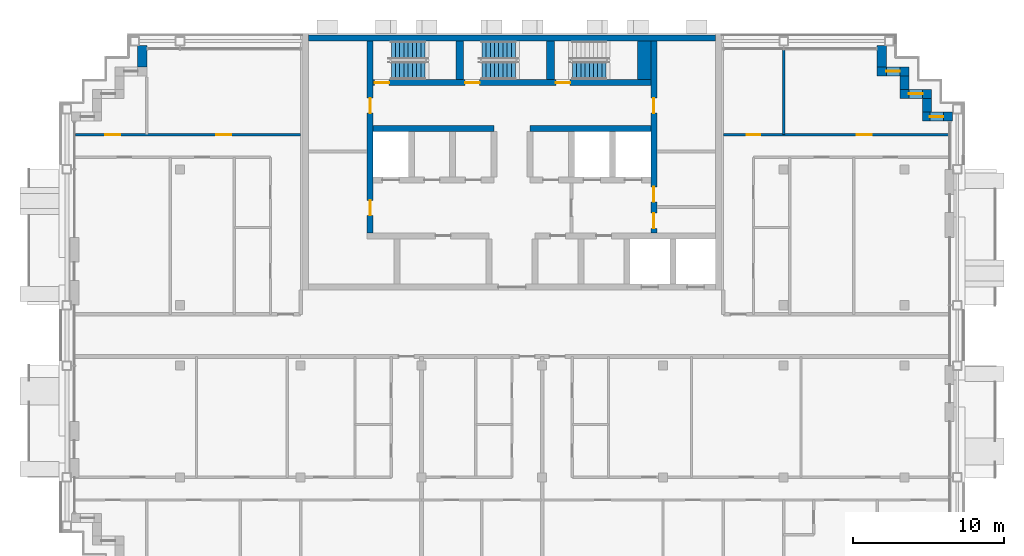
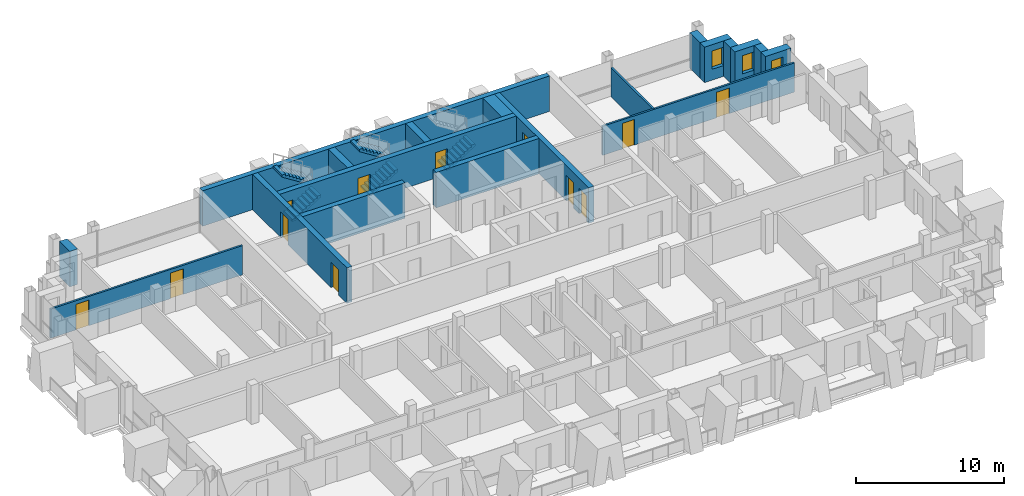
# One storey, part 11 of 16: 19 walls, 12 doors, 5 stair flights, 3 windows, 15 openings, 3 elements without a shape of their own.
"""IFC4 building model written with IfcOpenShell, lengths in metres."""

import ifcopenshell
import ifcopenshell.guid

model = None  # the IFC model being written
_history = None  # IfcOwnerHistory: only IFC2X3 demands one
_inside = {}  # id of a spatial element -> (the spatial element, [elements in it])
_under = {}  # id of a project, library or spatial element -> (it, [spatial elements below it])
_declared = {}  # id of a project -> (the project, [libraries it declares])
_typed = {}  # id of a type object -> (the type object, [elements of that type])
_made_of = {}  # id of a material, layer set ... -> (it, [elements and type objects made of it])


def new_model(schema):
    """Start an empty IFC model of exactly this schema.

    Asked for "IFC4X3", IfcOpenShell would pick the latest addendum, in which some entities
    have other attributes; the version numbers below select the first issue.
    IFC2X3 requires an IfcOwnerHistory on every rooted entity: one is made here for all.
    """
    global model, _history
    if schema == "IFC4X3":
        model = ifcopenshell.file(schema_version=(4, 3, 0, 0))
    else:
        model = ifcopenshell.file(schema=schema)
    _inside.clear()
    _under.clear()
    _declared.clear()
    _typed.clear()
    _made_of.clear()
    _history = None
    if model.schema == "IFC2X3":
        org = make("IfcOrganization", Name="unknown")
        user = make(
            "IfcPersonAndOrganization",
            ThePerson=make("IfcPerson", FamilyName="unknown"),
            TheOrganization=org,
        )
        app = make(
            "IfcApplication",
            ApplicationDeveloper=org,
            Version="unknown",
            ApplicationFullName="unknown",
            ApplicationIdentifier="unknown",
        )
        _history = make(
            "IfcOwnerHistory",
            OwningUser=user,
            OwningApplication=app,
            ChangeAction="ADDED",
            CreationDate=0,
        )
    return model


def make(cls, **values):
    """One entity of the class cls with the attributes given. An attribute that is None is left unset."""
    return model.create_entity(
        cls, **{name: value for name, value in values.items() if value is not None}
    )


def rooted(cls, **values):
    """An entity with a GlobalId (a new one), such as an element, a storey or a relation."""
    return make(cls, GlobalId=ifcopenshell.guid.new(), OwnerHistory=_history, **values)


def si_unit(unit_type, name, prefix=None):
    """IfcSIUnit, for example si_unit("LENGTHUNIT", "METRE", prefix="MILLI")."""
    return make("IfcSIUnit", UnitType=unit_type, Prefix=prefix, Name=name)


def assignment(units):
    """IfcUnitAssignment: the units of a project."""
    return None if units is None else make("IfcUnitAssignment", Units=units)


def point(xyz):
    """IfcCartesianPoint."""
    return None if xyz is None else make("IfcCartesianPoint", Coordinates=xyz)


def direction(xyz):
    """IfcDirection."""
    return None if xyz is None else make("IfcDirection", DirectionRatios=xyz)


def frame(location, z_axis=None, x_axis=None):
    """IfcAxis2Placement3D, a coordinate frame: its origin and axes. An axis left out is left unset."""
    return make(
        "IfcAxis2Placement3D",
        Location=point(location),
        Axis=direction(z_axis),
        RefDirection=direction(x_axis),
    )


def frame_2d(location, x_axis=None):
    """IfcAxis2Placement2D, a coordinate frame in the plane: its origin and x axis."""
    return make(
        "IfcAxis2Placement2D", Location=point(location), RefDirection=direction(x_axis)
    )


def origin():
    """The frame at (0, 0, 0) with its axes left unset."""
    return frame((0.0, 0.0, 0.0))


def place(relative_to, where):
    """IfcLocalPlacement: puts the frame where relative to a parent placement (None: the world)."""
    return make(
        "IfcLocalPlacement", PlacementRelTo=relative_to, RelativePlacement=where
    )


def context(
    kind, dimensions, precision=None, world=None, true_north=None, identifier=None
):
    """IfcGeometricRepresentationContext, for example the 3D "Model" context."""
    return make(
        "IfcGeometricRepresentationContext",
        ContextIdentifier=identifier,
        ContextType=kind,
        CoordinateSpaceDimension=dimensions,
        Precision=precision,
        WorldCoordinateSystem=world,
        TrueNorth=true_north,
    )


def subcontext(parent, identifier, kind, view, scale=None):
    """IfcGeometricRepresentationSubContext, for example "Body" below "Model"."""
    return make(
        "IfcGeometricRepresentationSubContext",
        ContextIdentifier=identifier,
        ContextType=kind,
        ParentContext=parent,
        TargetScale=scale,
        TargetView=view,
    )


def project(units=None, contexts=None):
    """IfcProject with its units and contexts."""
    return rooted(
        "IfcProject",
        Name="project",
        RepresentationContexts=contexts,
        UnitsInContext=assignment(units),
    )


def spatial(cls, under=None, at=None, **own):
    """A site, building, storey or space (cls), placed at a placement, below another one or the project."""
    s = rooted(cls, ObjectPlacement=at, **own)
    if under is not None:
        _under.setdefault(under.id(), (under, []))[1].append(s)
    return s


def polyline(points):
    """IfcPolyline through the points."""
    return make("IfcPolyline", Points=[point(p) for p in points])


def profile(cls, at=None, kind="AREA", **sizes):
    """A parametric profile (cls). Its sizes go by their IFC names, for example OverallWidth=200.0."""
    return make(cls, ProfileType=kind, Position=at, **sizes)


def rectangle(**sizes):
    """IfcRectangleProfileDef."""
    return profile("IfcRectangleProfileDef", **sizes)


def outline(outer, holes=None, kind="AREA"):
    """IfcArbitraryClosedProfileDef: a profile drawn as a closed curve; with holes, ...WithVoids."""
    if holes is None:
        return make("IfcArbitraryClosedProfileDef", ProfileType=kind, OuterCurve=outer)
    return make(
        "IfcArbitraryProfileDefWithVoids",
        ProfileType=kind,
        OuterCurve=outer,
        InnerCurves=holes,
    )


def extrude(swept, where, along, depth):
    """IfcExtrudedAreaSolid: the profile swept, set in the frame where, extruded along a direction by depth."""
    return make(
        "IfcExtrudedAreaSolid",
        SweptArea=swept,
        Position=where,
        ExtrudedDirection=direction(along),
        Depth=depth,
    )


def shape(context_of_items, identifier, shape_type, items):
    """IfcShapeRepresentation: the items that make up one representation, for example the "Body"."""
    return make(
        "IfcShapeRepresentation",
        ContextOfItems=context_of_items,
        RepresentationIdentifier=identifier,
        RepresentationType=shape_type,
        Items=items,
    )


def material(Name=None, Category=None):
    """IfcMaterial."""
    return make("IfcMaterial", Name=Name, Category=Category)


def layer(
    of_material, thickness, ventilated=None, Name=None, Category=None, Priority=None
):
    """IfcMaterialLayer: one layer of a wall or slab, of a material (None: an air gap)."""
    return make(
        "IfcMaterialLayer",
        Material=of_material,
        LayerThickness=thickness,
        IsVentilated=ventilated,
        Name=Name,
        Category=Category,
        Priority=Priority,
    )


def layer_set(layers, Name=None):
    """IfcMaterialLayerSet."""
    return make("IfcMaterialLayerSet", MaterialLayers=layers, LayerSetName=Name)


def made_of(thing, what):
    """Note that an element or type object is made of a material, layer set ...; save() writes the relation."""
    if what is not None:
        _made_of.setdefault(what.id(), (what, []))[1].append(thing)
    return thing


def type_object(cls, material=None, **own):
    """A type object (cls), such as IfcWallType, which elements share."""
    return made_of(rooted(cls, **own), material)


def element(
    cls,
    number,
    at=None,
    inside=None,
    cuts=None,
    type_object=None,
    material=None,
    context=None,
    identifier="Body",
    shape_type=None,
    held_by="IfcProductDefinitionShape",
    body=None,
    shapes=None,
    **own,
):
    """One element of the class cls, such as IfcWall. Its Tag is "e" and its number.

    at: its placement. inside: the storey or other place that contains it. cuts: it is an
    opening in that element (IfcRelVoidsElement). A single representation is given by context,
    identifier, shape_type and body (its items); several are given by shapes. held_by: the class
    of the entity that holds the representations. save() writes the other relations.
    """
    e = rooted(cls, Tag="e%d" % number, ObjectPlacement=at, **own)
    if body is not None:
        shapes = [shape(context, identifier, shape_type, body)]
    if shapes is not None:
        e.Representation = make(held_by, Representations=shapes)
    if inside is not None:
        _inside.setdefault(inside.id(), (inside, []))[1].append(e)
    if cuts is not None:
        rooted(
            "IfcRelVoidsElement", RelatingBuildingElement=cuts, RelatedOpeningElement=e
        )
    if type_object is not None:
        _typed.setdefault(type_object.id(), (type_object, []))[1].append(e)
    return made_of(e, material)


def fill(opening, filler):
    """IfcRelFillsElement: the door or window that sits in an opening."""
    return rooted(
        "IfcRelFillsElement",
        RelatingOpeningElement=opening,
        RelatedBuildingElement=filler,
    )


def aggregate(whole, parts):
    """IfcRelAggregates: a whole, such as a stair, and the parts it consists of."""
    return rooted("IfcRelAggregates", RelatingObject=whole, RelatedObjects=parts)


def save(model, path):
    """Write the relations noted so far, then the file.

    IfcRelAggregates (storeys below a building ...), IfcRelContainedInSpatialStructure (elements
    in a storey), IfcRelDefinesByType, IfcRelAssociatesMaterial and IfcRelDeclares: one each for
    every whole, place, type object, material and project.
    """
    for whole, parts in _under.values():
        aggregate(whole, parts)
    for where, things in _inside.values():
        rooted(
            "IfcRelContainedInSpatialStructure",
            RelatedElements=things,
            RelatingStructure=where,
        )
    for kind, things in _typed.values():
        rooted("IfcRelDefinesByType", RelatedObjects=things, RelatingType=kind)
    for what, things in _made_of.values():
        rooted("IfcRelAssociatesMaterial", RelatedObjects=things, RelatingMaterial=what)
    for by, libraries in _declared.values():
        rooted("IfcRelDeclares", RelatingContext=by, RelatedDefinitions=libraries)
    model.write(path)


model = new_model("IFC4")

# Units and contexts
model_context = context("Model", 3, precision=1e-05, world=origin(), true_north=direction((0.0, 1.0)))
body_context = subcontext(model_context, "Body", "Model", "MODEL_VIEW")
ifc_project = project(units=[si_unit("LENGTHUNIT", "METRE"), si_unit("AREAUNIT", "SQUARE_METRE"), si_unit("VOLUMEUNIT", "CUBIC_METRE"), si_unit("PLANEANGLEUNIT", "RADIAN"), si_unit("MASSUNIT", "GRAM", prefix="KILO")], contexts=[model_context])

# Site, building, storey
site_placement = place(None, origin())
site = spatial("IfcSite", under=ifc_project, at=site_placement, CompositionType="ELEMENT")
building_placement = place(site_placement, origin())
building = spatial("IfcBuilding", under=site, at=building_placement, Name="Vidyagriha Tower", CompositionType="ELEMENT")
storey_placement = place(building_placement, frame((0.0, 0.0, 217.199951171875)))
storey = spatial("IfcBuildingStorey", under=building, at=storey_placement, Name="L56", CompositionType="ELEMENT", Elevation=217.199951171875)

# Wall, opening, window
ifc_material_1 = material(Name="Precast concrete C40/50 with brick facing", Category="concrete")
ifc_layer_1 = layer(ifc_material_1, 0.60009765625)
ifc_layer_set_1 = layer_set([ifc_layer_1], Name="Precast concrete C40/50 with brick facing")
wall_type_1 = type_object("IfcWallType", Name="Brick-faced precast wall 600", PredefinedType="STANDARD", material=ifc_layer_set_1)
wall_1_placement = place(storey_placement, frame((29.199951171875, 14.5, 0.0), z_axis=(0.0, 0.0, 1.0), x_axis=(-1.0, 0.0, 0.0)))
wall_1 = element("IfcWall", 1, at=wall_1_placement, inside=storey, type_object=wall_type_1, Name="Stepped corner wall L56 R01", PredefinedType="STANDARD", context=body_context, shape_type="SweptSolid", body=[
    extrude(rectangle(XDim=2.0, YDim=0.60009765625, at=frame_2d((1.0, 0.0))), origin(), (0.0, 0.0, 1.0), 2.920166015625),
])
opening_1_placement = place(wall_1_placement, frame((0.610107421875, 0.0, 0.89990234375)))
opening_1 = element("IfcOpeningElement", 2, at=opening_1_placement, cuts=wall_1, Name="Opening WN1", PredefinedType="OPENING", context=body_context, shape_type="SweptSolid", body=[
    extrude(rectangle(XDim=0.89990234375, YDim=1.5, at=frame_2d((0.449951171875, 0.75))), frame((0.0, 0.31005859375, 0.0), z_axis=(0.0, -1.0, 0.0), x_axis=(1.0, 0.0, 0.0)), (0.0, 0.0, 1.0), 0.6201171875),
])
ifc_material_2 = material(Name="Aluminium and glass window", Category="aluminium")
window_type = type_object("IfcWindowType", Name="Reveal window 900x1500", PartitioningType="NOTDEFINED", PredefinedType="WINDOW", material=ifc_material_2)
window_1_placement = place(opening_1_placement, origin())
window_1 = element("IfcWindow", 3, at=window_1_placement, inside=storey, type_object=window_type, Name="Reveal window L56 R01", OverallHeight=1.5, OverallWidth=0.89990234375, PartitioningType="SINGLE_PANEL", PredefinedType="WINDOW", context=body_context, shape_type="SweptSolid", body=[
    extrude(rectangle(XDim=0.89990234375, YDim=1.5, at=frame_2d((0.449951171875, 0.75))), frame((0.0, 0.030029296875, 0.0), z_axis=(0.0, -1.0, 0.0), x_axis=(1.0, 0.0, 0.0)), (0.0, 0.0, 1.0), 0.06005859375),
])
fill(opening_1, window_1)

# Wall
wall_2_placement = place(storey_placement, frame((27.5, 14.800048828125, 0.0), z_axis=(0.0, 0.0, 1.0), x_axis=(0.0, 1.0, 0.0)))
element("IfcWall", 4, at=wall_2_placement, inside=storey, type_object=wall_type_1, Name="Stepped corner wall L56 R02", PredefinedType="STANDARD", context=body_context, shape_type="SweptSolid", body=[
    extrude(rectangle(XDim=0.89990234375, YDim=0.60009765625, at=frame_2d((0.449951171875, 0.0))), origin(), (0.0, 0.0, 1.0), 2.920166015625),
])

# Wall, opening, window
wall_3_placement = place(storey_placement, frame((27.800048828125, 16.0, 0.0), z_axis=(0.0, 0.0, 1.0), x_axis=(-1.0, 0.0, 0.0)))
wall_3 = element("IfcWall", 5, at=wall_3_placement, inside=storey, type_object=wall_type_1, Name="Stepped corner wall L56 R03", PredefinedType="STANDARD", context=body_context, shape_type="SweptSolid", body=[
    extrude(rectangle(XDim=2.10009765625, YDim=0.60009765625, at=frame_2d((1.050048828125, 0.0))), origin(), (0.0, 0.0, 1.0), 2.920166015625),
])
opening_2_placement = place(wall_3_placement, frame((0.60009765625, 0.0, 0.89990234375)))
opening_2 = element("IfcOpeningElement", 6, at=opening_2_placement, cuts=wall_3, Name="Opening WN1", PredefinedType="OPENING", context=body_context, shape_type="SweptSolid", body=[
    extrude(rectangle(XDim=0.89990234375, YDim=1.5, at=frame_2d((0.449951171875, 0.75))), frame((0.0, 0.31005859375, 0.0), z_axis=(0.0, -1.0, 0.0), x_axis=(1.0, 0.0, 0.0)), (0.0, 0.0, 1.0), 0.6201171875),
])
window_2_placement = place(opening_2_placement, origin())
window_2 = element("IfcWindow", 7, at=window_2_placement, inside=storey, type_object=window_type, Name="Reveal window L56 R03", OverallHeight=1.5, OverallWidth=0.89990234375, PartitioningType="SINGLE_PANEL", PredefinedType="WINDOW", context=body_context, shape_type="SweptSolid", body=[
    extrude(rectangle(XDim=0.89990234375, YDim=1.5, at=frame_2d((0.449951171875, 0.75))), frame((0.0, 0.030029296875, 0.0), z_axis=(0.0, -1.0, 0.0), x_axis=(1.0, 0.0, 0.0)), (0.0, 0.0, 1.0), 0.06005859375),
])
fill(opening_2, window_2)

# Wall
wall_4_placement = place(storey_placement, frame((26.0, 16.300048828125, 0.0), z_axis=(0.0, 0.0, 1.0), x_axis=(0.0, 1.0, 0.0)))
element("IfcWall", 8, at=wall_4_placement, inside=storey, type_object=wall_type_1, Name="Stepped corner wall L56 R04", PredefinedType="STANDARD", context=body_context, shape_type="SweptSolid", body=[
    extrude(rectangle(XDim=0.89990234375, YDim=0.60009765625, at=frame_2d((0.449951171875, 0.0))), origin(), (0.0, 0.0, 1.0), 2.920166015625),
])

# Wall, opening, window
wall_5_placement = place(storey_placement, frame((26.300048828125, 17.5, 0.0), z_axis=(0.0, 0.0, 1.0), x_axis=(-1.0, 0.0, 0.0)))
wall_5 = element("IfcWall", 9, at=wall_5_placement, inside=storey, type_object=wall_type_1, Name="Stepped corner wall L56 R05", PredefinedType="STANDARD", context=body_context, shape_type="SweptSolid", body=[
    extrude(rectangle(XDim=2.10009765625, YDim=0.60009765625, at=frame_2d((1.050048828125, 0.0))), origin(), (0.0, 0.0, 1.0), 2.920166015625),
])
opening_3_placement = place(wall_5_placement, frame((0.60009765625, 0.0, 0.89990234375)))
opening_3 = element("IfcOpeningElement", 10, at=opening_3_placement, cuts=wall_5, Name="Opening WN1", PredefinedType="OPENING", context=body_context, shape_type="SweptSolid", body=[
    extrude(rectangle(XDim=0.89990234375, YDim=1.5, at=frame_2d((0.449951171875, 0.75))), frame((0.0, 0.31005859375, 0.0), z_axis=(0.0, -1.0, 0.0), x_axis=(1.0, 0.0, 0.0)), (0.0, 0.0, 1.0), 0.6201171875),
])
window_3_placement = place(opening_3_placement, origin())
window_3 = element("IfcWindow", 11, at=window_3_placement, inside=storey, type_object=window_type, Name="Reveal window L56 R05", OverallHeight=1.5, OverallWidth=0.89990234375, PartitioningType="SINGLE_PANEL", PredefinedType="WINDOW", context=body_context, shape_type="SweptSolid", body=[
    extrude(rectangle(XDim=0.89990234375, YDim=1.5, at=frame_2d((0.449951171875, 0.75))), frame((0.0, 0.030029296875, 0.0), z_axis=(0.0, -1.0, 0.0), x_axis=(1.0, 0.0, 0.0)), (0.0, 0.0, 1.0), 0.06005859375),
])
fill(opening_3, window_3)

# Walls
for number, where, z_axis, x_axis, name in (
    (12, (24.5, 17.800048828125, 0.0), (0.0, 0.0, 1.0), (0.0, 1.0, 0.0), "Stepped corner wall L56 R06"),
    (13, (-24.5, 19.199951171875, 0.0), (0.0, 0.0, 1.0), (0.0, -1.0, 0.0), "Stepped corner wall L56 R10"),
):
    element("IfcWall", number, at=place(storey_placement, frame(where, z_axis=z_axis, x_axis=x_axis)), inside=storey, type_object=wall_type_1, Name=name, PredefinedType="STANDARD", context=body_context, shape_type="SweptSolid", body=[
        extrude(rectangle(XDim=1.39990234375, YDim=0.60009765625, at=frame_2d((0.699951171875, 0.0))), origin(), (0.0, 0.0, 1.0), 2.920166015625),
    ])
ifc_material_3 = material(Name="Concrete C60/75", Category="concrete")
ifc_layer_2 = layer(ifc_material_3, 0.39990234375)
ifc_layer_set_2 = layer_set([ifc_layer_2], Name="Concrete C60/75")
wall_type_2 = type_object("IfcWallType", Name="Core shear wall 400 mm", PredefinedType="SHEAR", material=ifc_layer_set_2)
wall_6_placement = place(storey_placement, frame((-13.5, 19.699951171875, 0.0)))
element("IfcWall", 14, at=wall_6_placement, inside=storey, type_object=wall_type_2, Name="Core north wall", PredefinedType="SHEAR", context=body_context, shape_type="SweptSolid", body=[
    extrude(rectangle(XDim=27.0, YDim=0.39990234375, at=frame_2d((13.5, 0.0))), origin(), (0.0, 0.0, 1.0), 2.920166015625),
])

# Wall, openings, doors
wall_7_placement = place(storey_placement, frame((-9.39990234375, 6.800048828125, 0.0), z_axis=(0.0, 0.0, 1.0), x_axis=(0.0, 1.0, 0.0)))
wall_7 = element("IfcWall", 15, at=wall_7_placement, inside=storey, type_object=wall_type_2, Name="Core west spine wall", PredefinedType="SHEAR", context=body_context, shape_type="SweptSolid", body=[
    extrude(rectangle(XDim=12.699951171875, YDim=0.39990234375, at=frame_2d((6.35009765625, 0.0))), origin(), (0.0, 0.0, 1.0), 2.920166015625),
])
opening_4_placement = place(wall_7_placement, frame((1.14990234375, 0.0, 0.0)))
opening_4 = element("IfcOpeningElement", 16, at=opening_4_placement, cuts=wall_7, Name="Opening D56-12", PredefinedType="OPENING", context=body_context, shape_type="SweptSolid", body=[
    extrude(rectangle(XDim=1.0, YDim=2.10009765625, at=frame_2d((0.5, 1.050048828125))), frame((0.0, 0.2099609375, 0.0), z_axis=(0.0, -1.0, 0.0), x_axis=(1.0, 0.0, 0.0)), (0.0, 0.0, 1.0), 0.419921875),
])
opening_5_placement = place(wall_7_placement, frame((7.925048828125, 0.0, 0.0)))
opening_5 = element("IfcOpeningElement", 17, at=opening_5_placement, cuts=wall_7, Name="Opening D56-13", PredefinedType="OPENING", context=body_context, shape_type="SweptSolid", body=[
    extrude(rectangle(XDim=1.0, YDim=2.10009765625, at=frame_2d((0.5, 1.050048828125))), frame((0.0, 0.2099609375, 0.0), z_axis=(0.0, -1.0, 0.0), x_axis=(1.0, 0.0, 0.0)), (0.0, 0.0, 1.0), 0.419921875),
])
ifc_material_4 = material(Name="Hollow metal door leaf")
door_type_1 = type_object("IfcDoorType", Name="Core room door 1000 x 2100 mm EI 60", OperationType="NOTDEFINED", PredefinedType="DOOR", material=ifc_material_4)
door_1_placement = place(opening_4_placement, frame((1.0, 0.0, 0.0), z_axis=(0.0, 0.0, 1.0), x_axis=(-1.0, 0.0, 0.0)))
door_1 = element("IfcDoor", 18, at=door_1_placement, inside=storey, type_object=door_type_1, Name="Door Riser Room 56.W1", OperationType="SINGLE_SWING_RIGHT", OverallHeight=2.10009765625, OverallWidth=1.0, PredefinedType="DOOR", context=body_context, shape_type="SweptSolid", body=[
    extrude(rectangle(XDim=1.0, YDim=2.10009765625, at=frame_2d((0.5, 1.050048828125))), frame((0.0, 0.02490234375, 0.0), z_axis=(0.0, -1.0, 0.0), x_axis=(1.0, 0.0, 0.0)), (0.0, 0.0, 1.0), 0.050048828125),
])
fill(opening_4, door_1)
door_2_placement = place(opening_5_placement, frame((1.0, 0.0, 0.0), z_axis=(0.0, 0.0, 1.0), x_axis=(-1.0, 0.0, 0.0)))
door_2 = element("IfcDoor", 19, at=door_2_placement, inside=storey, type_object=door_type_1, Name="Door Switchgear Room 56.W2", OperationType="SINGLE_SWING_LEFT", OverallHeight=2.10009765625, OverallWidth=1.0, PredefinedType="DOOR", context=body_context, shape_type="SweptSolid", body=[
    extrude(rectangle(XDim=1.0, YDim=2.10009765625, at=frame_2d((0.5, 1.050048828125))), frame((0.0, 0.02490234375, 0.0), z_axis=(0.0, -1.0, 0.0), x_axis=(1.0, 0.0, 0.0)), (0.0, 0.0, 1.0), 0.050048828125),
])
fill(opening_5, door_2)

wall_8_placement = place(storey_placement, frame((9.39990234375, 6.800048828125, 0.0), z_axis=(0.0, 0.0, 1.0), x_axis=(0.0, 1.0, 0.0)))
wall_8 = element("IfcWall", 20, at=wall_8_placement, inside=storey, type_object=wall_type_2, Name="Core east spine wall", PredefinedType="SHEAR", context=body_context, shape_type="SweptSolid", body=[
    extrude(rectangle(XDim=12.699951171875, YDim=0.39990234375, at=frame_2d((6.35009765625, 0.0))), origin(), (0.0, 0.0, 1.0), 2.920166015625),
])
opening_6_placement = place(wall_8_placement, frame((0.300048828125, 0.0, 0.0)))
opening_6 = element("IfcOpeningElement", 21, at=opening_6_placement, cuts=wall_8, Name="Opening D56-14", PredefinedType="OPENING", context=body_context, shape_type="SweptSolid", body=[
    extrude(rectangle(XDim=1.0, YDim=2.10009765625, at=frame_2d((0.5, 1.050048828125))), frame((0.0, 0.2099609375, 0.0), z_axis=(0.0, -1.0, 0.0), x_axis=(1.0, 0.0, 0.0)), (0.0, 0.0, 1.0), 0.419921875),
])
opening_7_placement = place(wall_8_placement, frame((2.050048828125, 0.0, 0.0)))
opening_7 = element("IfcOpeningElement", 22, at=opening_7_placement, cuts=wall_8, Name="Opening D56-15", PredefinedType="OPENING", context=body_context, shape_type="SweptSolid", body=[
    extrude(rectangle(XDim=1.0, YDim=2.10009765625, at=frame_2d((0.5, 1.050048828125))), frame((0.0, 0.2099609375, 0.0), z_axis=(0.0, -1.0, 0.0), x_axis=(1.0, 0.0, 0.0)), (0.0, 0.0, 1.0), 0.419921875),
])
opening_8_placement = place(wall_8_placement, frame((7.925048828125, 0.0, 0.0)))
opening_8 = element("IfcOpeningElement", 23, at=opening_8_placement, cuts=wall_8, Name="Opening D56-16", PredefinedType="OPENING", context=body_context, shape_type="SweptSolid", body=[
    extrude(rectangle(XDim=1.0, YDim=2.10009765625, at=frame_2d((0.5, 1.050048828125))), frame((0.0, 0.2099609375, 0.0), z_axis=(0.0, -1.0, 0.0), x_axis=(1.0, 0.0, 0.0)), (0.0, 0.0, 1.0), 0.419921875),
])
door_3_placement = place(opening_6_placement, origin())
door_3 = element("IfcDoor", 24, at=door_3_placement, inside=storey, type_object=door_type_1, Name="Door Mechanical Riser Room 56.E1", OperationType="SINGLE_SWING_RIGHT", OverallHeight=2.10009765625, OverallWidth=1.0, PredefinedType="DOOR", context=body_context, shape_type="SweptSolid", body=[
    extrude(rectangle(XDim=1.0, YDim=2.10009765625, at=frame_2d((0.5, 1.050048828125))), frame((0.0, 0.02490234375, 0.0), z_axis=(0.0, -1.0, 0.0), x_axis=(1.0, 0.0, 0.0)), (0.0, 0.0, 1.0), 0.050048828125),
])
fill(opening_6, door_3)
door_4_placement = place(opening_7_placement, origin())
door_4 = element("IfcDoor", 25, at=door_4_placement, inside=storey, type_object=door_type_1, Name="Door Electrical Room 56.E2", OperationType="SINGLE_SWING_LEFT", OverallHeight=2.10009765625, OverallWidth=1.0, PredefinedType="DOOR", context=body_context, shape_type="SweptSolid", body=[
    extrude(rectangle(XDim=1.0, YDim=2.10009765625, at=frame_2d((0.5, 1.050048828125))), frame((0.0, 0.02490234375, 0.0), z_axis=(0.0, -1.0, 0.0), x_axis=(1.0, 0.0, 0.0)), (0.0, 0.0, 1.0), 0.050048828125),
])
fill(opening_7, door_4)
door_5_placement = place(opening_8_placement, origin())
door_5 = element("IfcDoor", 26, at=door_5_placement, inside=storey, type_object=door_type_1, Name="Door Refuse Room 56.E3", OperationType="SINGLE_SWING_LEFT", OverallHeight=2.10009765625, OverallWidth=1.0, PredefinedType="DOOR", context=body_context, shape_type="SweptSolid", body=[
    extrude(rectangle(XDim=1.0, YDim=2.10009765625, at=frame_2d((0.5, 1.050048828125))), frame((0.0, 0.02490234375, 0.0), z_axis=(0.0, -1.0, 0.0), x_axis=(1.0, 0.0, 0.0)), (0.0, 0.0, 1.0), 0.050048828125),
])
fill(opening_8, door_5)

# Walls
for number, where, name in (
    (27, (-9.199951171875, 13.699951171875, 0.0), "Core row N rear wall"),
    (28, (1.199951171875, 13.699951171875, 0.0), "Core row N rear wall"),
):
    element("IfcWall", number, at=place(storey_placement, frame(where)), inside=storey, type_object=wall_type_2, Name=name, PredefinedType="SHEAR", context=body_context, shape_type="SweptSolid", body=[
        extrude(rectangle(XDim=8.0, YDim=0.39990234375, at=frame_2d((4.0, 0.0))), origin(), (0.0, 0.0, 1.0), 2.920166015625),
    ])

# Wall, openings, doors
wall_9_placement = place(storey_placement, frame((-9.199951171875, 16.75, 0.0)))
wall_9 = element("IfcWall", 29, at=wall_9_placement, inside=storey, type_object=wall_type_2, Name="Stair front wall", PredefinedType="SHEAR", context=body_context, shape_type="SweptSolid", body=[
    extrude(rectangle(XDim=18.39990234375, YDim=0.39990234375, at=frame_2d((9.199951171875, 0.0))), origin(), (0.0, 0.0, 1.0), 2.920166015625),
])
opening_9_placement = place(wall_9_placement, frame((0.10009765625, 0.0, 0.0)))
opening_9 = element("IfcOpeningElement", 30, at=opening_9_placement, cuts=wall_9, Name="Opening D56-09", PredefinedType="OPENING", context=body_context, shape_type="SweptSolid", body=[
    extrude(rectangle(XDim=0.949951171875, YDim=2.10009765625, at=frame_2d((0.47509765625, 1.050048828125))), frame((0.0, 0.2099609375, 0.0), z_axis=(0.0, -1.0, 0.0), x_axis=(1.0, 0.0, 0.0)), (0.0, 0.0, 1.0), 0.419921875),
])
opening_10_placement = place(wall_9_placement, frame((6.10009765625, 0.0, 0.0)))
opening_10 = element("IfcOpeningElement", 31, at=opening_10_placement, cuts=wall_9, Name="Opening D56-10", PredefinedType="OPENING", context=body_context, shape_type="SweptSolid", body=[
    extrude(rectangle(XDim=0.949951171875, YDim=2.10009765625, at=frame_2d((0.47509765625, 1.050048828125))), frame((0.0, 0.2099609375, 0.0), z_axis=(0.0, -1.0, 0.0), x_axis=(1.0, 0.0, 0.0)), (0.0, 0.0, 1.0), 0.419921875),
])
opening_11_placement = place(wall_9_placement, frame((12.10009765625, 0.0, 0.0)))
opening_11 = element("IfcOpeningElement", 32, at=opening_11_placement, cuts=wall_9, Name="Opening D56-11", PredefinedType="OPENING", context=body_context, shape_type="SweptSolid", body=[
    extrude(rectangle(XDim=0.949951171875, YDim=2.10009765625, at=frame_2d((0.47509765625, 1.050048828125))), frame((0.0, 0.2099609375, 0.0), z_axis=(0.0, -1.0, 0.0), x_axis=(1.0, 0.0, 0.0)), (0.0, 0.0, 1.0), 0.419921875),
])
ifc_material_5 = material(Name="Hollow metal door leaf")
door_type_2 = type_object("IfcDoorType", Name="Exit stair door 950 x 2100 mm EI 90", OperationType="NOTDEFINED", PredefinedType="DOOR", material=ifc_material_5)
door_6_placement = place(opening_9_placement, origin())
door_6 = element("IfcDoor", 33, at=door_6_placement, inside=storey, type_object=door_type_2, Name="Stair door ST1 L56", OperationType="SINGLE_SWING_LEFT", OverallHeight=2.10009765625, OverallWidth=0.949951171875, PredefinedType="DOOR", context=body_context, shape_type="SweptSolid", body=[
    extrude(rectangle(XDim=0.949951171875, YDim=2.10009765625, at=frame_2d((0.47509765625, 1.050048828125))), frame((0.0, 0.02490234375, 0.0), z_axis=(0.0, -1.0, 0.0), x_axis=(1.0, 0.0, 0.0)), (0.0, 0.0, 1.0), 0.050048828125),
])
fill(opening_9, door_6)
door_7_placement = place(opening_10_placement, origin())
door_7 = element("IfcDoor", 34, at=door_7_placement, inside=storey, type_object=door_type_2, Name="Stair door ST2 L56", OperationType="SINGLE_SWING_LEFT", OverallHeight=2.10009765625, OverallWidth=0.949951171875, PredefinedType="DOOR", context=body_context, shape_type="SweptSolid", body=[
    extrude(rectangle(XDim=0.949951171875, YDim=2.10009765625, at=frame_2d((0.47509765625, 1.050048828125))), frame((0.0, 0.02490234375, 0.0), z_axis=(0.0, -1.0, 0.0), x_axis=(1.0, 0.0, 0.0)), (0.0, 0.0, 1.0), 0.050048828125),
])
fill(opening_10, door_7)
door_8_placement = place(opening_11_placement, origin())
door_8 = element("IfcDoor", 35, at=door_8_placement, inside=storey, type_object=door_type_2, Name="Stair door ST3 L56", OperationType="SINGLE_SWING_LEFT", OverallHeight=2.10009765625, OverallWidth=0.949951171875, PredefinedType="DOOR", context=body_context, shape_type="SweptSolid", body=[
    extrude(rectangle(XDim=0.949951171875, YDim=2.10009765625, at=frame_2d((0.47509765625, 1.050048828125))), frame((0.0, 0.02490234375, 0.0), z_axis=(0.0, -1.0, 0.0), x_axis=(1.0, 0.0, 0.0)), (0.0, 0.0, 1.0), 0.050048828125),
])
fill(opening_11, door_8)

# Walls
ifc_material_6 = material(Name="Concrete C60/75", Category="concrete")
ifc_layer_3 = layer(ifc_material_6, 0.5)
ifc_layer_set_3 = layer_set([ifc_layer_3], Name="Concrete C60/75")
wall_type_3 = type_object("IfcWallType", Name="Core shear wall 500 mm", PredefinedType="SHEAR", material=ifc_layer_set_3)
for number, where, z_axis, x_axis, name in (
    (36, (-3.449951171875, 16.949951171875, 0.0), (0.0, 0.0, 1.0), (0.0, 1.0, 0.0), "Stair partition wall 1"),
    (37, (2.550048828125, 16.949951171875, 0.0), (0.0, 0.0, 1.0), (0.0, 1.0, 0.0), "Stair partition wall 2"),
):
    element("IfcWall", number, at=place(storey_placement, frame(where, z_axis=z_axis, x_axis=x_axis)), inside=storey, type_object=wall_type_3, Name=name, PredefinedType="SHEAR", context=body_context, shape_type="SweptSolid", body=[
        extrude(rectangle(XDim=2.550048828125, YDim=0.5, at=frame_2d((1.27490234375, 0.0))), origin(), (0.0, 0.0, 1.0), 2.920166015625),
    ])
ifc_material_7 = material(Name="Concrete C60/75", Category="concrete")
ifc_layer_4 = layer(ifc_material_7, 0.89990234375)
ifc_layer_set_4 = layer_set([ifc_layer_4], Name="Concrete C60/75")
wall_type_4 = type_object("IfcWallType", Name="Core shear wall 900 mm", PredefinedType="SHEAR", material=ifc_layer_set_4)
wall_10_placement = place(storey_placement, frame((8.75, 16.949951171875, 0.0), z_axis=(0.0, 0.0, 1.0), x_axis=(0.0, 1.0, 0.0)))
element("IfcWall", 38, at=wall_10_placement, inside=storey, type_object=wall_type_4, Name="Stair end wall", PredefinedType="SHEAR", context=body_context, shape_type="SweptSolid", body=[
    extrude(rectangle(XDim=2.550048828125, YDim=0.89990234375, at=frame_2d((1.27490234375, 0.0))), origin(), (0.0, 0.0, 1.0), 2.920166015625),
])

# Wall, openings, doors
ifc_material_8 = material(Name="Gypsum board partition")
ifc_layer_5 = layer(ifc_material_8, 0.14990234375)
ifc_layer_set_5 = layer_set([ifc_layer_5], Name="Gypsum board partition")
wall_type_5 = type_object("IfcWallType", Name="Gypsum board partition 150", PredefinedType="PARTITIONING", material=ifc_layer_set_5)
wall_11_placement = place(storey_placement, frame((-28.919921875, 13.300048828125, 0.0)))
wall_11 = element("IfcWall", 39, at=wall_11_placement, inside=storey, type_object=wall_type_5, Name="Wall all-L56-w071", PredefinedType="PARTITIONING", context=body_context, shape_type="SweptSolid", body=[
    extrude(rectangle(XDim=14.919921875, YDim=0.14990234375, at=frame_2d((7.4599609375, 0.0))), origin(), (0.0, 0.0, 1.0), 2.400146484375),
])
opening_12_placement = place(wall_11_placement, frame((1.969970703125, 0.0, 0.0)))
opening_12 = element("IfcOpeningElement", 40, at=opening_12_placement, cuts=wall_11, Name="Opening D56-49", PredefinedType="OPENING", context=body_context, shape_type="SweptSolid", body=[
    extrude(rectangle(XDim=1.0, YDim=2.10009765625, at=frame_2d((0.5, 1.050048828125))), frame((0.0, 0.0849609375, 0.0), z_axis=(0.0, -1.0, 0.0), x_axis=(1.0, 0.0, 0.0)), (0.0, 0.0, 1.0), 0.169921875),
])
opening_13_placement = place(wall_11_placement, frame((9.320068359375, 0.0, 0.0)))
opening_13 = element("IfcOpeningElement", 41, at=opening_13_placement, cuts=wall_11, Name="Opening D56-50", PredefinedType="OPENING", context=body_context, shape_type="SweptSolid", body=[
    extrude(rectangle(XDim=1.0, YDim=2.10009765625, at=frame_2d((0.5, 1.050048828125))), frame((0.0, 0.0849609375, 0.0), z_axis=(0.0, -1.0, 0.0), x_axis=(1.0, 0.0, 0.0)), (0.0, 0.0, 1.0), 0.169921875),
])
ifc_material_9 = material(Name="Timber door leaf", Category="wood")
door_type_3 = type_object("IfcDoorType", Name="Room door 1000x2100", OperationType="NOTDEFINED", PredefinedType="DOOR", material=ifc_material_9)
door_9_placement = place(opening_12_placement, origin())
door_9 = element("IfcDoor", 42, at=door_9_placement, inside=storey, type_object=door_type_3, Name="Door D56-49", OperationType="SINGLE_SWING_RIGHT", OverallHeight=2.10009765625, OverallWidth=1.0, PredefinedType="DOOR", context=body_context, shape_type="SweptSolid", body=[
    extrude(rectangle(XDim=1.0, YDim=2.10009765625, at=frame_2d((0.5, 1.050048828125))), frame((0.0, 0.02490234375, 0.0), z_axis=(0.0, -1.0, 0.0), x_axis=(1.0, 0.0, 0.0)), (0.0, 0.0, 1.0), 0.050048828125),
])
fill(opening_12, door_9)
door_10_placement = place(opening_13_placement, origin())
door_10 = element("IfcDoor", 43, at=door_10_placement, inside=storey, type_object=door_type_3, Name="Door D56-50", OperationType="SINGLE_SWING_LEFT", OverallHeight=2.10009765625, OverallWidth=1.0, PredefinedType="DOOR", context=body_context, shape_type="SweptSolid", body=[
    extrude(rectangle(XDim=1.0, YDim=2.10009765625, at=frame_2d((0.5, 1.050048828125))), frame((0.0, 0.02490234375, 0.0), z_axis=(0.0, -1.0, 0.0), x_axis=(1.0, 0.0, 0.0)), (0.0, 0.0, 1.0), 0.050048828125),
])
fill(opening_13, door_10)

wall_12_placement = place(storey_placement, frame((14.0, 13.300048828125, 0.0)))
wall_12 = element("IfcWall", 44, at=wall_12_placement, inside=storey, type_object=wall_type_5, Name="Wall all-L56-w086", PredefinedType="PARTITIONING", context=body_context, shape_type="SweptSolid", body=[
    extrude(rectangle(XDim=14.919921875, YDim=0.14990234375, at=frame_2d((7.4599609375, 0.0))), origin(), (0.0, 0.0, 1.0), 2.400146484375),
])
opening_14_placement = place(wall_12_placement, frame((1.550048828125, 0.0, 0.0)))
opening_14 = element("IfcOpeningElement", 45, at=opening_14_placement, cuts=wall_12, Name="Opening D56-56", PredefinedType="OPENING", context=body_context, shape_type="SweptSolid", body=[
    extrude(rectangle(XDim=0.89990234375, YDim=2.10009765625, at=frame_2d((0.449951171875, 1.050048828125))), frame((0.0, 0.0849609375, 0.0), z_axis=(0.0, -1.0, 0.0), x_axis=(1.0, 0.0, 0.0)), (0.0, 0.0, 1.0), 0.169921875),
])
opening_15_placement = place(wall_12_placement, frame((8.85009765625, 0.0, 0.0)))
opening_15 = element("IfcOpeningElement", 46, at=opening_15_placement, cuts=wall_12, Name="Opening D56-57", PredefinedType="OPENING", context=body_context, shape_type="SweptSolid", body=[
    extrude(rectangle(XDim=1.0, YDim=2.10009765625, at=frame_2d((0.5, 1.050048828125))), frame((0.0, 0.0849609375, 0.0), z_axis=(0.0, -1.0, 0.0), x_axis=(1.0, 0.0, 0.0)), (0.0, 0.0, 1.0), 0.169921875),
])
door_11_placement = place(opening_15_placement, origin())
door_11 = element("IfcDoor", 47, at=door_11_placement, inside=storey, type_object=door_type_3, Name="Door D56-57", OperationType="SINGLE_SWING_RIGHT", OverallHeight=2.10009765625, OverallWidth=1.0, PredefinedType="DOOR", context=body_context, shape_type="SweptSolid", body=[
    extrude(rectangle(XDim=1.0, YDim=2.10009765625, at=frame_2d((0.5, 1.050048828125))), frame((0.0, 0.02490234375, 0.0), z_axis=(0.0, -1.0, 0.0), x_axis=(1.0, 0.0, 0.0)), (0.0, 0.0, 1.0), 0.050048828125),
])
fill(opening_15, door_11)
ifc_material_10 = material(Name="Timber door leaf", Category="wood")
door_type_4 = type_object("IfcDoorType", Name="Room door 900x2100", OperationType="NOTDEFINED", PredefinedType="DOOR", material=ifc_material_10)
door_12_placement = place(opening_14_placement, origin())
door_12 = element("IfcDoor", 48, at=door_12_placement, inside=storey, type_object=door_type_4, Name="Door D56-56", OperationType="SINGLE_SWING_RIGHT", OverallHeight=2.10009765625, OverallWidth=0.89990234375, PredefinedType="DOOR", context=body_context, shape_type="SweptSolid", body=[
    extrude(rectangle(XDim=0.89990234375, YDim=2.10009765625, at=frame_2d((0.449951171875, 1.050048828125))), frame((0.0, 0.02490234375, 0.0), z_axis=(0.0, -1.0, 0.0), x_axis=(1.0, 0.0, 0.0)), (0.0, 0.0, 1.0), 0.050048828125),
])
fill(opening_14, door_12)

# Wall
wall_13_placement = place(storey_placement, frame((18.0, 18.9208984375, 0.0), z_axis=(0.0, 0.0, 1.0), x_axis=(0.0, -1.0, 0.0)))
element("IfcWall", 49, at=wall_13_placement, inside=storey, type_object=wall_type_5, Name="Wall all-L56-w089", PredefinedType="PARTITIONING", context=body_context, shape_type="SweptSolid", body=[
    extrude(rectangle(XDim=5.620849609375, YDim=0.14990234375, at=frame_2d((2.810546875, 0.0))), origin(), (0.0, 0.0, 1.0), 2.400146484375),
])

# Stair, stair flights
ifc_material_11 = material(Name="Concrete C40/50", Category="concrete")
stair_type = type_object("IfcStairType", Name="Exit stair, half-turn, precast flights", PredefinedType="HALF_TURN_STAIR", material=ifc_material_11)
stair_1_placement = place(storey_placement, origin())
stair_1 = element("IfcStair", 50, at=stair_1_placement, inside=storey, type_object=stair_type, Name="L56 Exit Stair ST1", PredefinedType="HALF_TURN_STAIR")
ifc_material_12 = material(Name="Precast concrete C40/50", Category="concrete")
stair_flight_type = type_object("IfcStairFlightType", Name="Exit stair flight 1200 mm, precast", PredefinedType="STRAIGHT", material=ifc_material_12)
stair_flight_1_placement = place(storey_placement, frame((-8.0, 17.550048828125, 0.0)))
stair_flight_1 = element("IfcStairFlight", 51, at=stair_flight_1_placement, type_object=stair_flight_type, Name="ST1 flight 1", NumberOfRisers=9, NumberOfTreads=8, PredefinedType="STRAIGHT", RiserHeight=0.177777778, TreadLength=0.28, context=body_context, shape_type="SweptSolid", body=[
    extrude(outline(polyline([(0.0, 0.0), (0.0, 0.177734375), (0.280029296875, 0.177734375), (0.280029296875, 0.35546875), (0.56005859375, 0.35546875), (0.56005859375, 0.533447265625), (0.840087890625, 0.533447265625), (0.840087890625, 0.711181640625), (1.1201171875, 0.711181640625), (1.1201171875, 0.888916015625), (1.39990234375, 0.888916015625), (1.39990234375, 1.066650390625), (1.679931640625, 1.066650390625), (1.679931640625, 1.244384765625), (1.9599609375, 1.244384765625), (1.9599609375, 1.422119140625), (2.239990234375, 1.422119140625), (2.239990234375, 1.60009765625), (2.239990234375, 1.24462890625), (0.27978515625, 0.0), (0.0, 0.0)])), frame((0.0, 0.60009765625, 0.0), z_axis=(0.0, -1.0, 0.0), x_axis=(1.0, 0.0, 0.0)), (0.0, 0.0, 1.0), 1.199951171875),
])
stair_flight_2_placement = place(storey_placement, frame((-5.760009765625, 18.89990234375, 1.60009765625), z_axis=(0.0, 0.0, 1.0), x_axis=(-1.0, 0.0, 0.0)))
stair_flight_2 = element("IfcStairFlight", 52, at=stair_flight_2_placement, type_object=stair_flight_type, Name="ST1 flight 2", NumberOfRisers=9, NumberOfTreads=8, PredefinedType="STRAIGHT", RiserHeight=0.177777778, TreadLength=0.28, context=body_context, shape_type="SweptSolid", body=[
    extrude(outline(polyline([(0.0, 0.0), (0.0, 0.177734375), (0.280029296875, 0.177734375), (0.280029296875, 0.35546875), (0.56005859375, 0.35546875), (0.56005859375, 0.533447265625), (0.840087890625, 0.533447265625), (0.840087890625, 0.711181640625), (1.1201171875, 0.711181640625), (1.1201171875, 0.888916015625), (1.39990234375, 0.888916015625), (1.39990234375, 1.066650390625), (1.679931640625, 1.066650390625), (1.679931640625, 1.244384765625), (1.9599609375, 1.244384765625), (1.9599609375, 1.422119140625), (2.239990234375, 1.422119140625), (2.239990234375, 1.60009765625), (2.239990234375, 1.24462890625), (0.27978515625, 0.0), (0.0, 0.0)])), frame((0.0, 0.60009765625, 0.0), z_axis=(0.0, -1.0, 0.0), x_axis=(1.0, 0.0, 0.0)), (0.0, 0.0, 1.0), 1.199951171875),
])
aggregate(stair_1, [stair_flight_1, stair_flight_2])

stair_2_placement = place(storey_placement, origin())
stair_2 = element("IfcStair", 53, at=stair_2_placement, inside=storey, type_object=stair_type, Name="L56 Exit Stair ST2", PredefinedType="HALF_TURN_STAIR")
stair_flight_3_placement = place(storey_placement, frame((-2.0, 17.550048828125, 0.0)))
stair_flight_3 = element("IfcStairFlight", 54, at=stair_flight_3_placement, type_object=stair_flight_type, Name="ST2 flight 1", NumberOfRisers=9, NumberOfTreads=8, PredefinedType="STRAIGHT", RiserHeight=0.177777778, TreadLength=0.28, context=body_context, shape_type="SweptSolid", body=[
    extrude(outline(polyline([(0.0, 0.0), (0.0, 0.177734375), (0.280029296875, 0.177734375), (0.280029296875, 0.35546875), (0.56005859375, 0.35546875), (0.56005859375, 0.533447265625), (0.840087890625, 0.533447265625), (0.840087890625, 0.711181640625), (1.1201171875, 0.711181640625), (1.1201171875, 0.888916015625), (1.39990234375, 0.888916015625), (1.39990234375, 1.066650390625), (1.679931640625, 1.066650390625), (1.679931640625, 1.244384765625), (1.9599609375, 1.244384765625), (1.9599609375, 1.422119140625), (2.239990234375, 1.422119140625), (2.239990234375, 1.60009765625), (2.239990234375, 1.24462890625), (0.27978515625, 0.0), (0.0, 0.0)])), frame((0.0, 0.60009765625, 0.0), z_axis=(0.0, -1.0, 0.0), x_axis=(1.0, 0.0, 0.0)), (0.0, 0.0, 1.0), 1.199951171875),
])
stair_flight_4_placement = place(storey_placement, frame((0.239990234375, 18.89990234375, 1.60009765625), z_axis=(0.0, 0.0, 1.0), x_axis=(-1.0, 0.0, 0.0)))
stair_flight_4 = element("IfcStairFlight", 55, at=stair_flight_4_placement, type_object=stair_flight_type, Name="ST2 flight 2", NumberOfRisers=9, NumberOfTreads=8, PredefinedType="STRAIGHT", RiserHeight=0.177777778, TreadLength=0.28, context=body_context, shape_type="SweptSolid", body=[
    extrude(outline(polyline([(0.0, 0.0), (0.0, 0.177734375), (0.280029296875, 0.177734375), (0.280029296875, 0.35546875), (0.56005859375, 0.35546875), (0.56005859375, 0.533447265625), (0.840087890625, 0.533447265625), (0.840087890625, 0.711181640625), (1.1201171875, 0.711181640625), (1.1201171875, 0.888916015625), (1.39990234375, 0.888916015625), (1.39990234375, 1.066650390625), (1.679931640625, 1.066650390625), (1.679931640625, 1.244384765625), (1.9599609375, 1.244384765625), (1.9599609375, 1.422119140625), (2.239990234375, 1.422119140625), (2.239990234375, 1.60009765625), (2.239990234375, 1.24462890625), (0.27978515625, 0.0), (0.0, 0.0)])), frame((0.0, 0.60009765625, 0.0), z_axis=(0.0, -1.0, 0.0), x_axis=(1.0, 0.0, 0.0)), (0.0, 0.0, 1.0), 1.199951171875),
])
aggregate(stair_2, [stair_flight_3, stair_flight_4])

# Stair, stair flight
stair_3_placement = place(storey_placement, origin())
stair_3 = element("IfcStair", 56, at=stair_3_placement, inside=storey, type_object=stair_type, Name="L56 Exit Stair ST3", PredefinedType="HALF_TURN_STAIR")
stair_flight_5_placement = place(storey_placement, frame((4.0, 17.550048828125, 0.0)))
stair_flight_5 = element("IfcStairFlight", 57, at=stair_flight_5_placement, type_object=stair_flight_type, Name="ST3 flight 1", NumberOfRisers=9, NumberOfTreads=8, PredefinedType="STRAIGHT", RiserHeight=0.177777778, TreadLength=0.28, context=body_context, shape_type="SweptSolid", body=[
    extrude(outline(polyline([(0.0, 0.0), (0.0, 0.177734375), (0.280029296875, 0.177734375), (0.280029296875, 0.35546875), (0.56005859375, 0.35546875), (0.56005859375, 0.533447265625), (0.840087890625, 0.533447265625), (0.840087890625, 0.711181640625), (1.1201171875, 0.711181640625), (1.1201171875, 0.888916015625), (1.39990234375, 0.888916015625), (1.39990234375, 1.066650390625), (1.679931640625, 1.066650390625), (1.679931640625, 1.244384765625), (1.9599609375, 1.244384765625), (1.9599609375, 1.422119140625), (2.239990234375, 1.422119140625), (2.239990234375, 1.60009765625), (2.239990234375, 1.24462890625), (0.27978515625, 0.0), (0.0, 0.0)])), frame((0.0, 0.60009765625, 0.0), z_axis=(0.0, -1.0, 0.0), x_axis=(1.0, 0.0, 0.0)), (0.0, 0.0, 1.0), 1.199951171875),
])
aggregate(stair_3, [stair_flight_5])

save(model, "model.ifc")
